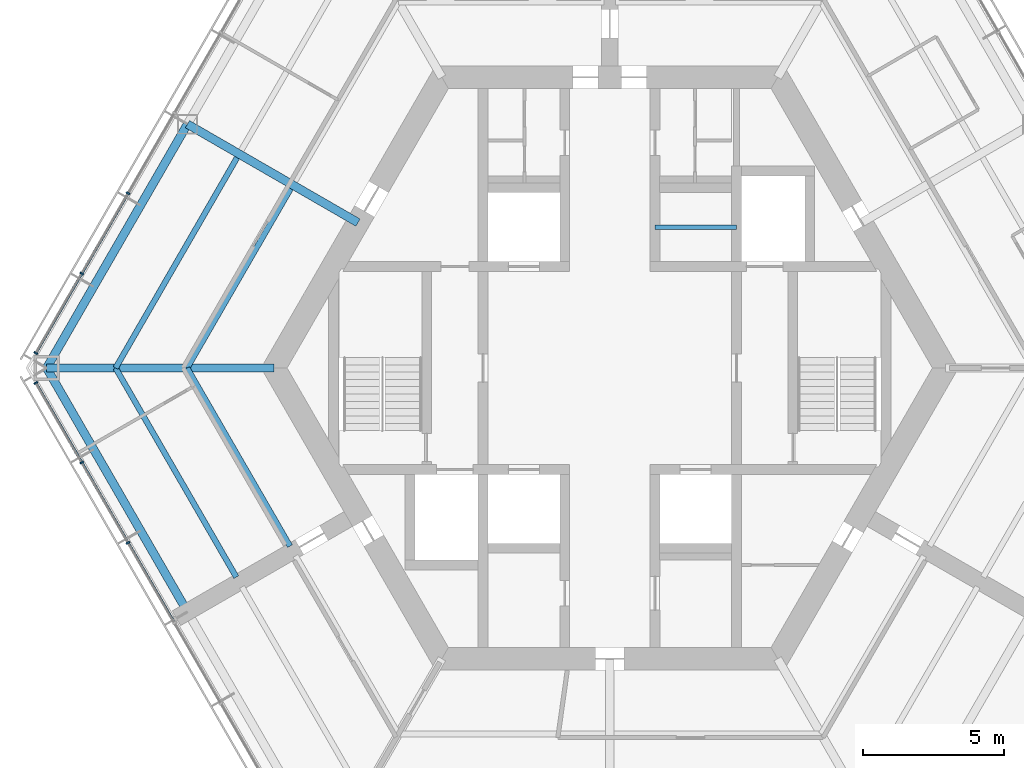
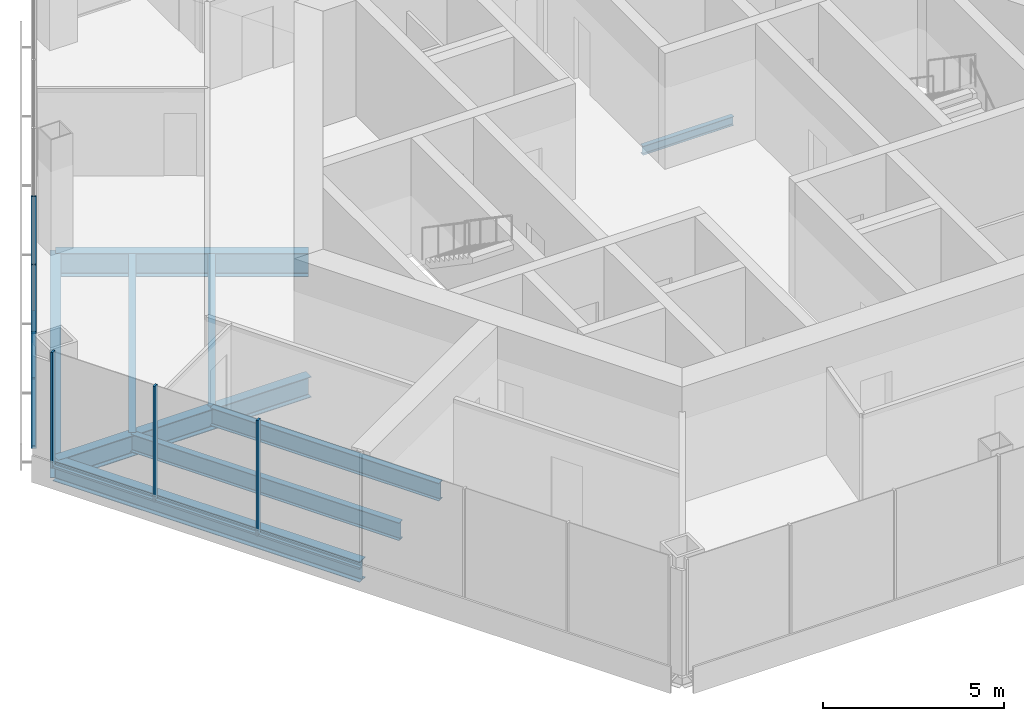
# One storey, part 3 of 15: 11 members, 9 beams, 2 elements without a shape of their own.
"""IFC4 building model written with IfcOpenShell, lengths in metres."""

import ifcopenshell
import ifcopenshell.guid

model = None  # the IFC model being written
_history = None  # IfcOwnerHistory: only IFC2X3 demands one
_inside = {}  # id of a spatial element -> (the spatial element, [elements in it])
_under = {}  # id of a project, library or spatial element -> (it, [spatial elements below it])
_declared = {}  # id of a project -> (the project, [libraries it declares])
_typed = {}  # id of a type object -> (the type object, [elements of that type])
_made_of = {}  # id of a material, layer set ... -> (it, [elements and type objects made of it])


def new_model(schema):
    """Start an empty IFC model of exactly this schema.

    Asked for "IFC4X3", IfcOpenShell would pick the latest addendum, in which some entities
    have other attributes; the version numbers below select the first issue.
    IFC2X3 requires an IfcOwnerHistory on every rooted entity: one is made here for all.
    """
    global model, _history
    if schema == "IFC4X3":
        model = ifcopenshell.file(schema_version=(4, 3, 0, 0))
    else:
        model = ifcopenshell.file(schema=schema)
    _inside.clear()
    _under.clear()
    _declared.clear()
    _typed.clear()
    _made_of.clear()
    _history = None
    if model.schema == "IFC2X3":
        org = make("IfcOrganization", Name="unknown")
        user = make(
            "IfcPersonAndOrganization",
            ThePerson=make("IfcPerson", FamilyName="unknown"),
            TheOrganization=org,
        )
        app = make(
            "IfcApplication",
            ApplicationDeveloper=org,
            Version="unknown",
            ApplicationFullName="unknown",
            ApplicationIdentifier="unknown",
        )
        _history = make(
            "IfcOwnerHistory",
            OwningUser=user,
            OwningApplication=app,
            ChangeAction="ADDED",
            CreationDate=0,
        )
    return model


def make(cls, **values):
    """One entity of the class cls with the attributes given. An attribute that is None is left unset."""
    return model.create_entity(
        cls, **{name: value for name, value in values.items() if value is not None}
    )


def rooted(cls, **values):
    """An entity with a GlobalId (a new one), such as an element, a storey or a relation."""
    return make(cls, GlobalId=ifcopenshell.guid.new(), OwnerHistory=_history, **values)


def si_unit(unit_type, name, prefix=None):
    """IfcSIUnit, for example si_unit("LENGTHUNIT", "METRE", prefix="MILLI")."""
    return make("IfcSIUnit", UnitType=unit_type, Prefix=prefix, Name=name)


def assignment(units):
    """IfcUnitAssignment: the units of a project."""
    return None if units is None else make("IfcUnitAssignment", Units=units)


def point(xyz):
    """IfcCartesianPoint."""
    return None if xyz is None else make("IfcCartesianPoint", Coordinates=xyz)


def direction(xyz):
    """IfcDirection."""
    return None if xyz is None else make("IfcDirection", DirectionRatios=xyz)


def frame(location, z_axis=None, x_axis=None):
    """IfcAxis2Placement3D, a coordinate frame: its origin and axes. An axis left out is left unset."""
    return make(
        "IfcAxis2Placement3D",
        Location=point(location),
        Axis=direction(z_axis),
        RefDirection=direction(x_axis),
    )


def frame_2d(location, x_axis=None):
    """IfcAxis2Placement2D, a coordinate frame in the plane: its origin and x axis."""
    return make(
        "IfcAxis2Placement2D", Location=point(location), RefDirection=direction(x_axis)
    )


def origin():
    """The frame at (0, 0, 0) with its axes left unset."""
    return frame((0.0, 0.0, 0.0))


def origin_2d():
    """The frame at (0, 0) in the plane with its x axis left unset."""
    return frame_2d((0.0, 0.0))


def place(relative_to, where):
    """IfcLocalPlacement: puts the frame where relative to a parent placement (None: the world)."""
    return make(
        "IfcLocalPlacement", PlacementRelTo=relative_to, RelativePlacement=where
    )


def context(
    kind, dimensions, precision=None, world=None, true_north=None, identifier=None
):
    """IfcGeometricRepresentationContext, for example the 3D "Model" context."""
    return make(
        "IfcGeometricRepresentationContext",
        ContextIdentifier=identifier,
        ContextType=kind,
        CoordinateSpaceDimension=dimensions,
        Precision=precision,
        WorldCoordinateSystem=world,
        TrueNorth=true_north,
    )


def subcontext(parent, identifier, kind, view, scale=None):
    """IfcGeometricRepresentationSubContext, for example "Body" below "Model"."""
    return make(
        "IfcGeometricRepresentationSubContext",
        ContextIdentifier=identifier,
        ContextType=kind,
        ParentContext=parent,
        TargetScale=scale,
        TargetView=view,
    )


def project(units=None, contexts=None):
    """IfcProject with its units and contexts."""
    return rooted(
        "IfcProject",
        Name="project",
        RepresentationContexts=contexts,
        UnitsInContext=assignment(units),
    )


def spatial(cls, under=None, at=None, **own):
    """A site, building, storey or space (cls), placed at a placement, below another one or the project."""
    s = rooted(cls, ObjectPlacement=at, **own)
    if under is not None:
        _under.setdefault(under.id(), (under, []))[1].append(s)
    return s


def profile(cls, at=None, kind="AREA", **sizes):
    """A parametric profile (cls). Its sizes go by their IFC names, for example OverallWidth=200.0."""
    return make(cls, ProfileType=kind, Position=at, **sizes)


def rectangle(**sizes):
    """IfcRectangleProfileDef."""
    return profile("IfcRectangleProfileDef", **sizes)


def i_section(**sizes):
    """IfcIShapeProfileDef."""
    return profile("IfcIShapeProfileDef", **sizes)


def extrude(swept, where, along, depth):
    """IfcExtrudedAreaSolid: the profile swept, set in the frame where, extruded along a direction by depth."""
    return make(
        "IfcExtrudedAreaSolid",
        SweptArea=swept,
        Position=where,
        ExtrudedDirection=direction(along),
        Depth=depth,
    )


def shape(context_of_items, identifier, shape_type, items):
    """IfcShapeRepresentation: the items that make up one representation, for example the "Body"."""
    return make(
        "IfcShapeRepresentation",
        ContextOfItems=context_of_items,
        RepresentationIdentifier=identifier,
        RepresentationType=shape_type,
        Items=items,
    )


def material(Name=None, Category=None):
    """IfcMaterial."""
    return make("IfcMaterial", Name=Name, Category=Category)


def material_profile(
    of_material, cross_section, Name=None, Category=None, Priority=None
):
    """IfcMaterialProfile: a cross section and its material."""
    return make(
        "IfcMaterialProfile",
        Name=Name,
        Material=of_material,
        Profile=cross_section,
        Priority=Priority,
        Category=Category,
    )


def profile_set(profiles, Name=None, composite=None):
    """IfcMaterialProfileSet."""
    return make(
        "IfcMaterialProfileSet",
        Name=Name,
        MaterialProfiles=profiles,
        CompositeProfile=composite,
    )


def made_of(thing, what):
    """Note that an element or type object is made of a material, layer set ...; save() writes the relation."""
    if what is not None:
        _made_of.setdefault(what.id(), (what, []))[1].append(thing)
    return thing


def type_object(cls, material=None, **own):
    """A type object (cls), such as IfcWallType, which elements share."""
    return made_of(rooted(cls, **own), material)


def element(
    cls,
    number,
    at=None,
    inside=None,
    cuts=None,
    type_object=None,
    material=None,
    context=None,
    identifier="Body",
    shape_type=None,
    held_by="IfcProductDefinitionShape",
    body=None,
    shapes=None,
    **own,
):
    """One element of the class cls, such as IfcWall. Its Tag is "e" and its number.

    at: its placement. inside: the storey or other place that contains it. cuts: it is an
    opening in that element (IfcRelVoidsElement). A single representation is given by context,
    identifier, shape_type and body (its items); several are given by shapes. held_by: the class
    of the entity that holds the representations. save() writes the other relations.
    """
    e = rooted(cls, Tag="e%d" % number, ObjectPlacement=at, **own)
    if body is not None:
        shapes = [shape(context, identifier, shape_type, body)]
    if shapes is not None:
        e.Representation = make(held_by, Representations=shapes)
    if inside is not None:
        _inside.setdefault(inside.id(), (inside, []))[1].append(e)
    if cuts is not None:
        rooted(
            "IfcRelVoidsElement", RelatingBuildingElement=cuts, RelatedOpeningElement=e
        )
    if type_object is not None:
        _typed.setdefault(type_object.id(), (type_object, []))[1].append(e)
    return made_of(e, material)


def aggregate(whole, parts):
    """IfcRelAggregates: a whole, such as a stair, and the parts it consists of."""
    return rooted("IfcRelAggregates", RelatingObject=whole, RelatedObjects=parts)


def save(model, path):
    """Write the relations noted so far, then the file.

    IfcRelAggregates (storeys below a building ...), IfcRelContainedInSpatialStructure (elements
    in a storey), IfcRelDefinesByType, IfcRelAssociatesMaterial and IfcRelDeclares: one each for
    every whole, place, type object, material and project.
    """
    for whole, parts in _under.values():
        aggregate(whole, parts)
    for where, things in _inside.values():
        rooted(
            "IfcRelContainedInSpatialStructure",
            RelatedElements=things,
            RelatingStructure=where,
        )
    for kind, things in _typed.values():
        rooted("IfcRelDefinesByType", RelatedObjects=things, RelatingType=kind)
    for what, things in _made_of.values():
        rooted("IfcRelAssociatesMaterial", RelatedObjects=things, RelatingMaterial=what)
    for by, libraries in _declared.values():
        rooted("IfcRelDeclares", RelatingContext=by, RelatedDefinitions=libraries)
    model.write(path)


model = new_model("IFC4")

# Units and contexts
model_context = context("Model", 3, precision=1e-05, world=origin(), true_north=direction((0.0, 1.0)))
body_context = subcontext(model_context, "Body", "Model", "MODEL_VIEW")
ifc_project = project(units=[si_unit("LENGTHUNIT", "METRE"), si_unit("AREAUNIT", "SQUARE_METRE"), si_unit("VOLUMEUNIT", "CUBIC_METRE"), si_unit("PLANEANGLEUNIT", "RADIAN"), si_unit("MASSUNIT", "GRAM", prefix="KILO")], contexts=[model_context])

# Site, building, storey
site_placement = place(None, origin())
site = spatial("IfcSite", under=ifc_project, at=site_placement, CompositionType="ELEMENT")
building_placement = place(site_placement, origin())
building = spatial("IfcBuilding", under=site, at=building_placement, Name="Kasaneha Research Tower", CompositionType="ELEMENT")
storey_placement = place(building_placement, frame((0.0, 0.0, 212.800048828125)))
storey = spatial("IfcBuildingStorey", under=building, at=storey_placement, Name="L53", CompositionType="ELEMENT", Elevation=212.800048828125)

# Beams
ifc_material_1 = material(Name="Steel SN490B", Category="steel")
ifc_material_profile_1 = material_profile(ifc_material_1, i_section(OverallWidth=0.199951171875, OverallDepth=0.60009765625, WebThickness=0.010986328125, FlangeThickness=0.01708984375, FilletRadius=0.012939453125, at=origin_2d()), Name="H-600x200x11x17")
ifc_profile_set_1 = profile_set([ifc_material_profile_1], Name="Steel SN490B")
beam_type_1 = type_object("IfcBeamType", Name="B1-3 secondary beam H-600x200x11x17", PredefinedType="JOIST", material=ifc_profile_set_1)
beam_1_placement = place(storey_placement, frame((-15.010986328125, 0.0, -0.449951171875), z_axis=(0.499994443168, 0.866028611999, 0.0), x_axis=(-0.866028611999, 0.499994443168, 0.0)))
element("IfcBeam", 1, at=beam_1_placement, inside=storey, type_object=beam_type_1, Name="Secondary beam RS150R1 L53", PredefinedType="JOIST", context=body_context, shape_type="SweptSolid", body=[
    extrude(i_section(OverallWidth=0.199951171875, OverallDepth=0.60009765625, WebThickness=0.010986328125, FlangeThickness=0.01708984375, FilletRadius=0.012939453125, at=origin_2d()), origin(), (0.0, 0.0, 1.0), 7.35546875),
])
beam_2_placement = place(storey_placement, frame((-17.551513671875, 0.0, -0.449951171875), z_axis=(0.5000050195, 0.866022505755, 0.0), x_axis=(-0.866022505755, 0.5000050195, 0.0)))
element("IfcBeam", 2, at=beam_2_placement, inside=storey, type_object=beam_type_1, Name="Secondary beam RS150R2 L53", PredefinedType="JOIST", context=body_context, shape_type="SweptSolid", body=[
    extrude(i_section(OverallWidth=0.199951171875, OverallDepth=0.60009765625, WebThickness=0.010986328125, FlangeThickness=0.01708984375, FilletRadius=0.012939453125, at=origin_2d()), origin(), (0.0, 0.0, 1.0), 8.6259765625),
])
beam_3_placement = place(storey_placement, frame((-15.010986328125, 0.0, -0.449951171875), z_axis=(0.499974128195, -0.866040340363, 0.0), x_axis=(0.866040340363, 0.499974128195, 0.0)))
element("IfcBeam", 3, at=beam_3_placement, inside=storey, type_object=beam_type_1, Name="Secondary beam RS210L1 L53", PredefinedType="JOIST", context=body_context, shape_type="SweptSolid", body=[
    extrude(i_section(OverallWidth=0.199951171875, OverallDepth=0.60009765625, WebThickness=0.010986328125, FlangeThickness=0.01708984375, FilletRadius=0.012939453125, at=origin_2d()), origin(), (0.0, 0.0, 1.0), 7.3056640625),
])
beam_4_placement = place(storey_placement, frame((-17.551513671875, 0.0, -0.449951171875), z_axis=(0.500000102728, -0.866025344474, 0.0), x_axis=(0.866025344474, 0.500000102728, 0.0)))
element("IfcBeam", 4, at=beam_4_placement, inside=storey, type_object=beam_type_1, Name="Secondary beam RS210L2 L53", PredefinedType="JOIST", context=body_context, shape_type="SweptSolid", body=[
    extrude(i_section(OverallWidth=0.199951171875, OverallDepth=0.60009765625, WebThickness=0.010986328125, FlangeThickness=0.01708984375, FilletRadius=0.012939453125, at=origin_2d()), origin(), (0.0, 0.0, 1.0), 8.57568359375),
])

# Curtain wall, members
ifc_material_2 = material(Name="Glass and aluminium", Category="aluminium")
curtain_wall_type = type_object("IfcCurtainWallType", Name="High-rise office curtain wall", PredefinedType="USERDEFINED", material=ifc_material_2)
curtain_wall_1_placement = place(storey_placement, origin())
curtain_wall_1 = element("IfcCurtainWall", 5, at=curtain_wall_1_placement, inside=storey, type_object=curtain_wall_type, Name="CW-O3 L53 run 03a", ObjectType="UNITISED CURTAIN WALL", PredefinedType="USERDEFINED")
ifc_material_3 = material(Name="Aluminium 6063-T6", Category="aluminium")
ifc_material_profile_2 = material_profile(ifc_material_3, rectangle(XDim=0.06005859375, YDim=0.139892578125, at=origin_2d()), Name="CW-O3 mullion 60x140")
ifc_profile_set_2 = profile_set([ifc_material_profile_2], Name="Aluminium 6063-T6")
member_type_1 = type_object("IfcMemberType", Name="CW-O3 mullion", PredefinedType="MULLION", material=ifc_profile_set_2)
member_1_placement = place(storey_placement, frame((-17.108642578125, 6.207763671875, 0.0), z_axis=(0.0, 0.0, 1.0), x_axis=(-0.499999995722, -0.866025406254, 0.0)))
member_1 = element("IfcMember", 6, at=member_1_placement, type_object=member_type_1, Name="CW-O3 mullion 5", PredefinedType="MULLION", context=body_context, shape_type="SweptSolid", body=[
    extrude(rectangle(XDim=0.06005859375, YDim=0.139892578125, at=origin_2d()), origin(), (0.0, 0.0, 1.0), 3.89990234375),
])
member_2_placement = place(storey_placement, frame((-18.755859375, 3.35498046875, 0.0), z_axis=(0.0, 0.0, 1.0), x_axis=(-0.499999995722, -0.866025406254, 0.0)))
member_2 = element("IfcMember", 7, at=member_2_placement, type_object=member_type_1, Name="CW-O3 mullion 6", PredefinedType="MULLION", context=body_context, shape_type="SweptSolid", body=[
    extrude(rectangle(XDim=0.06005859375, YDim=0.139892578125, at=origin_2d()), origin(), (0.0, 0.0, 1.0), 3.89990234375),
])
member_3_placement = place(storey_placement, frame((-20.3876953125, 0.5283203125, 0.0), z_axis=(0.0, 0.0, 1.0), x_axis=(-0.499999995722, -0.866025406254, 0.0)))
member_3 = element("IfcMember", 8, at=member_3_placement, type_object=member_type_1, Name="CW-O3 mullion 7", PredefinedType="MULLION", context=body_context, shape_type="SweptSolid", body=[
    extrude(rectangle(XDim=0.06005859375, YDim=0.139892578125, at=origin_2d()), origin(), (0.0, 0.0, 1.0), 3.89990234375),
])

curtain_wall_2_placement = place(storey_placement, origin())
curtain_wall_2 = element("IfcCurtainWall", 9, at=curtain_wall_2_placement, inside=storey, type_object=curtain_wall_type, Name="CW-O3 L53 run 04a", ObjectType="UNITISED CURTAIN WALL", PredefinedType="USERDEFINED")
member_4_placement = place(storey_placement, frame((-20.3876953125, -0.5283203125, 0.0), z_axis=(0.0, 0.0, 1.0), x_axis=(0.499999995722, -0.866025406254, 0.0)))
member_4 = element("IfcMember", 10, at=member_4_placement, type_object=member_type_1, Name="CW-O3 mullion 1", PredefinedType="MULLION", context=body_context, shape_type="SweptSolid", body=[
    extrude(rectangle(XDim=0.06005859375, YDim=0.139892578125, at=origin_2d()), origin(), (0.0, 0.0, 1.0), 3.89990234375),
])
member_5_placement = place(storey_placement, frame((-18.755859375, -3.35498046875, 0.0), z_axis=(0.0, 0.0, 1.0), x_axis=(0.499999995722, -0.866025406254, 0.0)))
member_5 = element("IfcMember", 11, at=member_5_placement, type_object=member_type_1, Name="CW-O3 mullion 2", PredefinedType="MULLION", context=body_context, shape_type="SweptSolid", body=[
    extrude(rectangle(XDim=0.06005859375, YDim=0.139892578125, at=origin_2d()), origin(), (0.0, 0.0, 1.0), 3.89990234375),
])
member_6_placement = place(storey_placement, frame((-17.108642578125, -6.207763671875, 0.0), z_axis=(0.0, 0.0, 1.0), x_axis=(0.499999995722, -0.866025406254, 0.0)))
member_6 = element("IfcMember", 12, at=member_6_placement, type_object=member_type_1, Name="CW-O3 mullion 3", PredefinedType="MULLION", context=body_context, shape_type="SweptSolid", body=[
    extrude(rectangle(XDim=0.06005859375, YDim=0.139892578125, at=origin_2d()), origin(), (0.0, 0.0, 1.0), 3.89990234375),
])

# Member
ifc_material_4 = material(Name="Aluminium 6063-T6", Category="aluminium")
ifc_material_profile_3 = material_profile(ifc_material_4, rectangle(XDim=0.10009765625, YDim=0.06005859375, at=origin_2d()), Name="CW-O3 transom 100x60")
ifc_profile_set_3 = profile_set([ifc_material_profile_3], Name="Aluminium 6063-T6")
member_type_2 = type_object("IfcMemberType", Name="CW-O3 transom", PredefinedType="USERDEFINED", material=ifc_profile_set_3)
member_7_placement = place(storey_placement, frame((-17.123779296875, 6.181884765625, 0.030029296875), z_axis=(-0.499979487633, -0.866037246281, 0.0), x_axis=(0.866037246281, -0.499979487633, 0.0)))
member_7 = element("IfcMember", 13, at=member_7_placement, type_object=member_type_2, Name="CW-O3 transom 5", ObjectType="TRANSOM", PredefinedType="USERDEFINED", context=body_context, shape_type="SweptSolid", body=[
    extrude(rectangle(XDim=0.10009765625, YDim=0.06005859375, at=origin_2d()), origin(), (0.0, 0.0, 1.0), 3.234130859375),
])

member_8_placement = place(storey_placement, frame((-18.770751953125, 3.3291015625, 0.030029296875), z_axis=(-0.499990676028, -0.866030786915, 0.0), x_axis=(0.866030786915, -0.499990676028, 0.0)))
member_8 = element("IfcMember", 14, at=member_8_placement, type_object=member_type_2, Name="CW-O3 transom 6", ObjectType="TRANSOM", PredefinedType="USERDEFINED", context=body_context, shape_type="SweptSolid", body=[
    extrude(rectangle(XDim=0.10009765625, YDim=0.06005859375, at=origin_2d()), origin(), (0.0, 0.0, 1.0), 3.2041015625),
])

aggregate(curtain_wall_1, [member_1, member_2, member_3, member_7, member_8])

member_9_placement = place(storey_placement, frame((-20.372802734375, -0.55419921875, 0.030029296875), z_axis=(0.499990676028, -0.866030786915, 0.0), x_axis=(0.866030786915, 0.499990676028, 0.0)))
member_9 = element("IfcMember", 15, at=member_9_placement, type_object=member_type_2, Name="CW-O3 transom 1", ObjectType="TRANSOM", PredefinedType="USERDEFINED", context=body_context, shape_type="SweptSolid", body=[
    extrude(rectangle(XDim=0.10009765625, YDim=0.06005859375, at=origin_2d()), origin(), (0.0, 0.0, 1.0), 3.2041015625),
])

member_10_placement = place(storey_placement, frame((-18.74072265625, -3.381103515625, 0.030029296875), z_axis=(0.499979487633, -0.866037246281, 0.0), x_axis=(0.866037246281, 0.499979487633, 0.0)))
member_10 = element("IfcMember", 16, at=member_10_placement, type_object=member_type_2, Name="CW-O3 transom 2", ObjectType="TRANSOM", PredefinedType="USERDEFINED", context=body_context, shape_type="SweptSolid", body=[
    extrude(rectangle(XDim=0.10009765625, YDim=0.06005859375, at=origin_2d()), origin(), (0.0, 0.0, 1.0), 3.234130859375),
])

member_11_placement = place(storey_placement, frame((-17.09375, -6.23388671875, 0.030029296875), z_axis=(0.499979487633, -0.866037246281, 0.0), x_axis=(0.866037246281, 0.499979487633, 0.0)))
member_11 = element("IfcMember", 17, at=member_11_placement, type_object=member_type_2, Name="CW-O3 transom 3", ObjectType="TRANSOM", PredefinedType="USERDEFINED", context=body_context, shape_type="SweptSolid", body=[
    extrude(rectangle(XDim=0.10009765625, YDim=0.06005859375, at=origin_2d()), origin(), (0.0, 0.0, 1.0), 3.234130859375),
])

aggregate(curtain_wall_2, [member_4, member_5, member_6, member_9, member_10, member_11])

# Beams
ifc_material_5 = material(Name="Steel SN490B", Category="steel")
ifc_material_profile_4 = material_profile(ifc_material_5, i_section(OverallWidth=0.300048828125, OverallDepth=0.699951171875, WebThickness=0.012939453125, FlangeThickness=0.02392578125, FilletRadius=0.01806640625, at=origin_2d()), Name="H-700x300x13x24")
ifc_profile_set_4 = profile_set([ifc_material_profile_4], Name="Steel SN490B")
beam_type_2 = type_object("IfcBeamType", Name="G1-3 radial girder H-700x300x13x24", PredefinedType="BEAM", material=ifc_profile_set_4)
beam_5_placement = place(storey_placement, frame((-11.92236328125, 0.0, -0.5), z_axis=(-1.0, 0.0, 0.0), x_axis=(0.0, -1.0, 0.0)))
element("IfcBeam", 18, at=beam_5_placement, inside=storey, type_object=beam_type_2, Name="Radial girder RV180 L53", PredefinedType="BEAM", context=body_context, shape_type="SweptSolid", body=[
    extrude(i_section(OverallWidth=0.300048828125, OverallDepth=0.699951171875, WebThickness=0.012939453125, FlangeThickness=0.02392578125, FilletRadius=0.01806640625, at=origin_2d()), origin(), (0.0, 0.0, 1.0), 8.07763671875),
])
ifc_material_6 = material(Name="Steel SN490B", Category="steel")
ifc_material_profile_5 = material_profile(ifc_material_6, i_section(OverallWidth=0.300048828125, OverallDepth=0.800048828125, WebThickness=0.013916015625, FlangeThickness=0.02587890625, FilletRadius=0.01806640625, at=origin_2d()), Name="H-800x300x14x26")
ifc_profile_set_5 = profile_set([ifc_material_profile_5], Name="Steel SN490B")
beam_type_3 = type_object("IfcBeamType", Name="G2-3 radial girder H-800x300x14x26", PredefinedType="BEAM", material=ifc_profile_set_5)
beam_6_placement = place(storey_placement, frame((-8.941650390625, 5.16259765625, -0.550048828125), z_axis=(-0.866039713508, 0.499975214012, 0.0), x_axis=(-0.499975214012, -0.866039713508, 0.0)))
element("IfcBeam", 19, at=beam_6_placement, inside=storey, type_object=beam_type_3, Name="Radial girder RM150 L53", PredefinedType="BEAM", context=body_context, shape_type="SweptSolid", body=[
    extrude(i_section(OverallWidth=0.300048828125, OverallDepth=0.800048828125, WebThickness=0.013916015625, FlangeThickness=0.02587890625, FilletRadius=0.01806640625, at=origin_2d()), origin(), (0.0, 0.0, 1.0), 6.995361328125),
])
ifc_material_7 = material(Name="Steel SN490B", Category="steel")
ifc_material_profile_6 = material_profile(ifc_material_7, i_section(OverallWidth=0.300048828125, OverallDepth=0.69189453125, WebThickness=0.012939453125, FlangeThickness=0.02001953125, FilletRadius=0.01806640625, at=origin_2d()), Name="H-692x300x13x20")
ifc_profile_set_6 = profile_set([ifc_material_profile_6], Name="Steel SN490B")
beam_type_4 = type_object("IfcBeamType", Name="G3-3 plate edge girder H-692x300x13x20", PredefinedType="BEAM", material=ifc_profile_set_6)
beam_7_placement = place(storey_placement, frame((-20.0, 0.0, -0.49609375), z_axis=(0.49999201416, -0.866030014362, 0.0), x_axis=(0.866030014362, 0.49999201416, 0.0)))
element("IfcBeam", 20, at=beam_7_placement, inside=storey, type_object=beam_type_4, Name="Plate edge girder PEBP L53", PredefinedType="BEAM", context=body_context, shape_type="SweptSolid", body=[
    extrude(i_section(OverallWidth=0.300048828125, OverallDepth=0.69189453125, WebThickness=0.012939453125, FlangeThickness=0.02001953125, FilletRadius=0.01806640625, at=origin_2d()), origin(), (0.0, 0.0, 1.0), 9.800048828125),
])
ifc_material_8 = material(Name="Steel SN490B", Category="steel")
ifc_material_profile_7 = material_profile(ifc_material_8, i_section(OverallWidth=0.14990234375, OverallDepth=0.300048828125, WebThickness=0.006591796875, FlangeThickness=0.009033203125, FilletRadius=0.012939453125, at=origin_2d()), Name="H-300x150x6.5x9")
ifc_profile_set_7 = profile_set([ifc_material_profile_7], Name="Steel SN490B")
beam_type_5 = type_object("IfcBeamType", Name="HB1 lift hoist beam H-300x150x6.5x9", PredefinedType="BEAM", material=ifc_profile_set_7)
beam_8_placement = place(storey_placement, frame((1.60009765625, 5.0, -0.35009765625), z_axis=(1.0, 0.0, 0.0), x_axis=(0.0, 1.0, 0.0)))
element("IfcBeam", 21, at=beam_8_placement, inside=storey, type_object=beam_type_5, Name="Lift hoist beam SH1", PredefinedType="BEAM", context=body_context, shape_type="SweptSolid", body=[
    extrude(i_section(OverallWidth=0.14990234375, OverallDepth=0.300048828125, WebThickness=0.006591796875, FlangeThickness=0.009033203125, FilletRadius=0.012939453125, at=origin_2d()), origin(), (0.0, 0.0, 1.0), 2.89990234375),
])
ifc_material_9 = material(Name="Steel SN490B", Category="steel")
ifc_material_profile_8 = material_profile(ifc_material_9, i_section(OverallWidth=0.300048828125, OverallDepth=0.69189453125, WebThickness=0.012939453125, FlangeThickness=0.02001953125, FilletRadius=0.01806640625, at=origin_2d()), Name="H-692x300x13x20")
ifc_profile_set_8 = profile_set([ifc_material_profile_8], Name="Steel SN490B")
beam_type_6 = type_object("IfcBeamType", Name="SB1-3 spandrel beam H-692x300x13x20", PredefinedType="SPANDREL", material=ifc_profile_set_8)
beam_9_placement = place(storey_placement, frame((-20.0, 0.0, -0.49609375), z_axis=(0.500004234368, 0.866022959057, 0.0), x_axis=(-0.866022959057, 0.500004234368, 0.0)))
element("IfcBeam", 22, at=beam_9_placement, inside=storey, type_object=beam_type_6, Name="Spandrel beam SR150R L53", PredefinedType="SPANDREL", context=body_context, shape_type="SweptSolid", body=[
    extrude(i_section(OverallWidth=0.300048828125, OverallDepth=0.69189453125, WebThickness=0.012939453125, FlangeThickness=0.02001953125, FilletRadius=0.01806640625, at=origin_2d()), origin(), (0.0, 0.0, 1.0), 10.0),
])

save(model, "model.ifc")
